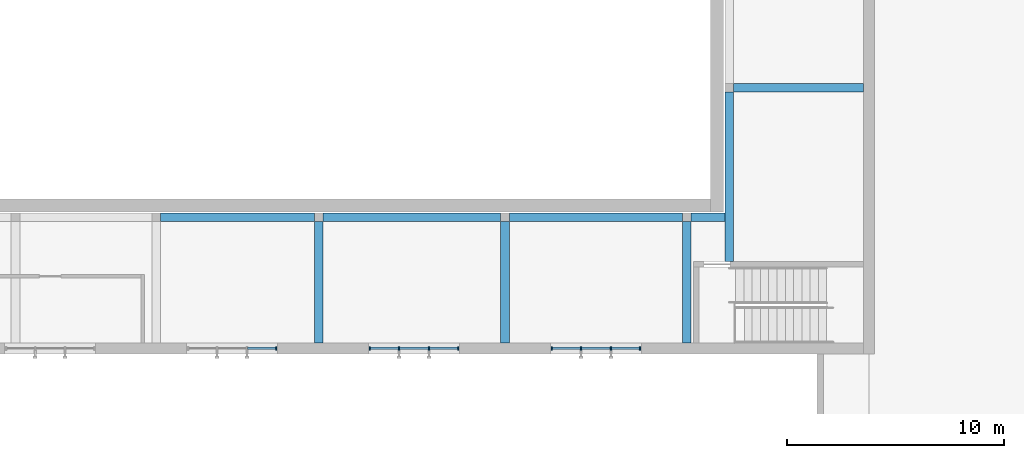
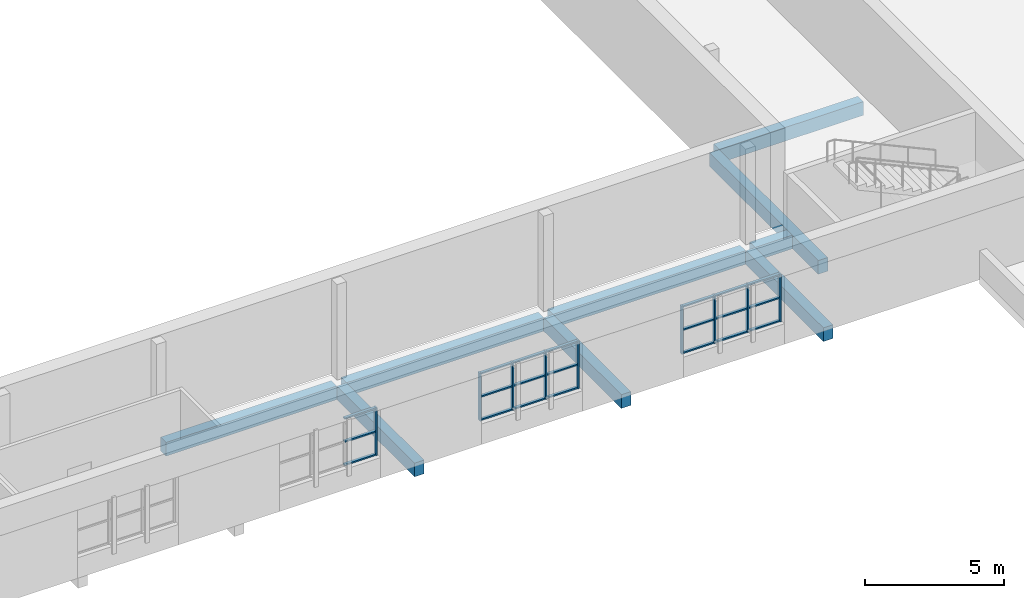
# One storey, part 23 of 60: 30 members, 9 beams, 3 elements without a shape of their own.
"""IFC4 building model written with IfcOpenShell, lengths in metres."""

from ifc_helpers import new_model, si_unit, direction, frame, origin, origin_2d, place, context, subcontext, project, spatial, rectangle, extrude, material, material_profile, profile_set, type_object, element, aggregate, save


model = new_model("IFC4")

# Units and contexts
model_context = context("Model", 3, precision=1e-05, world=origin(), true_north=direction((0.0, 1.0)))
body_context = subcontext(model_context, "Body", "Model", "MODEL_VIEW")
ifc_project = project(units=[si_unit("LENGTHUNIT", "METRE"), si_unit("AREAUNIT", "SQUARE_METRE"), si_unit("VOLUMEUNIT", "CUBIC_METRE"), si_unit("PLANEANGLEUNIT", "RADIAN"), si_unit("MASSUNIT", "GRAM", prefix="KILO")], contexts=[model_context])

# Site, building, storey
site_placement = place(None, origin())
site = spatial("IfcSite", under=ifc_project, at=site_placement, CompositionType="ELEMENT")
building_placement = place(site_placement, origin())
building = spatial("IfcBuilding", under=site, at=building_placement, Name="Ljudholm Concert House", CompositionType="ELEMENT")
storey_placement = place(building_placement, frame((0.0, 0.0, 15.0)))
storey = spatial("IfcBuildingStorey", under=building, at=storey_placement, Name="L03", CompositionType="ELEMENT", Elevation=15.0)

# Curtain wall, member
ifc_material_1 = material(Name="Aluminium curtain wall with impact-rated laminated glass", Category="aluminium")
curtain_wall_type = type_object("IfcCurtainWallType", Name="CURTAIN WALL 1400", PredefinedType="NOTDEFINED", material=ifc_material_1)
curtain_wall_1_placement = place(storey_placement, origin())
curtain_wall_1 = element("IfcCurtainWall", 1, at=curtain_wall_1_placement, inside=storey, type_object=curtain_wall_type, Name="Promenade curtain wall", PredefinedType="NOTDEFINED")
ifc_material_2 = material(Name="Aluminium extrusion", Category="aluminium")
ifc_material_profile_1 = material_profile(ifc_material_2, rectangle(XDim=0.159912109375, YDim=0.06005859375, at=origin_2d()), Name="MULLION 60x160")
ifc_profile_set_1 = profile_set([ifc_material_profile_1], Name="Aluminium extrusion")
member_type_1 = type_object("IfcMemberType", Name="MULLION 60x160", PredefinedType="MULLION", material=ifc_profile_set_1)
member_1_placement = place(storey_placement, frame((69.0400390625, 54.39990234375, 0.89990234375), z_axis=(0.0, 0.0, 1.0), x_axis=(0.0, 1.0, 0.0)))
member_1 = element("IfcMember", 2, at=member_1_placement, type_object=member_type_1, Name="Mullion", PredefinedType="MULLION", context=body_context, shape_type="SweptSolid", body=[
    extrude(rectangle(XDim=0.159912109375, YDim=0.06005859375, at=origin_2d()), origin(), (0.0, 0.0, 1.0), 2.10009765625),
])

# Curtain wall, members
curtain_wall_2_placement = place(storey_placement, origin())
curtain_wall_2 = element("IfcCurtainWall", 3, at=curtain_wall_2_placement, inside=storey, type_object=curtain_wall_type, Name="Promenade curtain wall", PredefinedType="NOTDEFINED")
member_2_placement = place(storey_placement, frame((73.360107421875, 54.39990234375, 0.89990234375), z_axis=(0.0, 0.0, 1.0), x_axis=(0.0, 1.0, 0.0)))
member_2 = element("IfcMember", 4, at=member_2_placement, type_object=member_type_1, Name="Mullion", PredefinedType="MULLION", context=body_context, shape_type="SweptSolid", body=[
    extrude(rectangle(XDim=0.159912109375, YDim=0.06005859375, at=origin_2d()), origin(), (0.0, 0.0, 1.0), 2.10009765625),
])
member_3_placement = place(storey_placement, frame((74.7099609375, 54.39990234375, 0.89990234375), z_axis=(0.0, 0.0, 1.0), x_axis=(0.0, 1.0, 0.0)))
member_3 = element("IfcMember", 5, at=member_3_placement, type_object=member_type_1, Name="Mullion", PredefinedType="MULLION", context=body_context, shape_type="SweptSolid", body=[
    extrude(rectangle(XDim=0.159912109375, YDim=0.06005859375, at=origin_2d()), origin(), (0.0, 0.0, 1.0), 2.10009765625),
])
member_4_placement = place(storey_placement, frame((76.090087890625, 54.39990234375, 0.89990234375), z_axis=(0.0, 0.0, 1.0), x_axis=(0.0, 1.0, 0.0)))
member_4 = element("IfcMember", 6, at=member_4_placement, type_object=member_type_1, Name="Mullion", PredefinedType="MULLION", context=body_context, shape_type="SweptSolid", body=[
    extrude(rectangle(XDim=0.159912109375, YDim=0.06005859375, at=origin_2d()), origin(), (0.0, 0.0, 1.0), 2.10009765625),
])
member_5_placement = place(storey_placement, frame((77.43994140625, 54.39990234375, 0.89990234375), z_axis=(0.0, 0.0, 1.0), x_axis=(0.0, 1.0, 0.0)))
member_5 = element("IfcMember", 7, at=member_5_placement, type_object=member_type_1, Name="Mullion", PredefinedType="MULLION", context=body_context, shape_type="SweptSolid", body=[
    extrude(rectangle(XDim=0.159912109375, YDim=0.06005859375, at=origin_2d()), origin(), (0.0, 0.0, 1.0), 2.10009765625),
])

curtain_wall_3_placement = place(storey_placement, origin())
curtain_wall_3 = element("IfcCurtainWall", 8, at=curtain_wall_3_placement, inside=storey, type_object=curtain_wall_type, Name="Promenade curtain wall", PredefinedType="NOTDEFINED")
member_6_placement = place(storey_placement, frame((81.760009765625, 54.39990234375, 0.89990234375), z_axis=(0.0, 0.0, 1.0), x_axis=(0.0, 1.0, 0.0)))
member_6 = element("IfcMember", 9, at=member_6_placement, type_object=member_type_1, Name="Mullion", PredefinedType="MULLION", context=body_context, shape_type="SweptSolid", body=[
    extrude(rectangle(XDim=0.159912109375, YDim=0.06005859375, at=origin_2d()), origin(), (0.0, 0.0, 1.0), 2.10009765625),
])
member_7_placement = place(storey_placement, frame((83.110107421875, 54.39990234375, 0.89990234375), z_axis=(0.0, 0.0, 1.0), x_axis=(0.0, 1.0, 0.0)))
member_7 = element("IfcMember", 10, at=member_7_placement, type_object=member_type_1, Name="Mullion", PredefinedType="MULLION", context=body_context, shape_type="SweptSolid", body=[
    extrude(rectangle(XDim=0.159912109375, YDim=0.06005859375, at=origin_2d()), origin(), (0.0, 0.0, 1.0), 2.10009765625),
])
member_8_placement = place(storey_placement, frame((84.489990234375, 54.39990234375, 0.89990234375), z_axis=(0.0, 0.0, 1.0), x_axis=(0.0, 1.0, 0.0)))
member_8 = element("IfcMember", 11, at=member_8_placement, type_object=member_type_1, Name="Mullion", PredefinedType="MULLION", context=body_context, shape_type="SweptSolid", body=[
    extrude(rectangle(XDim=0.159912109375, YDim=0.06005859375, at=origin_2d()), origin(), (0.0, 0.0, 1.0), 2.10009765625),
])
member_9_placement = place(storey_placement, frame((85.840087890625, 54.39990234375, 0.89990234375), z_axis=(0.0, 0.0, 1.0), x_axis=(0.0, 1.0, 0.0)))
member_9 = element("IfcMember", 12, at=member_9_placement, type_object=member_type_1, Name="Mullion", PredefinedType="MULLION", context=body_context, shape_type="SweptSolid", body=[
    extrude(rectangle(XDim=0.159912109375, YDim=0.06005859375, at=origin_2d()), origin(), (0.0, 0.0, 1.0), 2.10009765625),
])

# Beams
ifc_material_3 = material(Name="Concrete 6,500 psi", Category="concrete")
ifc_material_profile_2 = material_profile(ifc_material_3, rectangle(XDim=0.39990234375, YDim=0.60009765625, at=origin_2d()), Name="RC BEAM 400x600")
ifc_profile_set_2 = profile_set([ifc_material_profile_2], Name="Concrete 6,500 psi")
beam_type = type_object("IfcBeamType", Name="RC BEAM 400x600", PredefinedType="BEAM", material=ifc_profile_set_2)
beam_1_placement = place(storey_placement, frame((63.699951171875, 60.449951171875, -0.550048828125), z_axis=(1.0, 0.0, 0.0), x_axis=(0.0, 1.0, 0.0)))
element("IfcBeam", 13, at=beam_1_placement, inside=storey, type_object=beam_type, Name="Ring beam", PredefinedType="BEAM", context=body_context, shape_type="SweptSolid", body=[
    extrude(rectangle(XDim=0.39990234375, YDim=0.60009765625, at=origin_2d()), origin(), (0.0, 0.0, 1.0), 7.10009765625),
])
beam_2_placement = place(storey_placement, frame((71.199951171875, 60.449951171875, -0.550048828125), z_axis=(1.0, 0.0, 0.0), x_axis=(0.0, 1.0, 0.0)))
element("IfcBeam", 14, at=beam_2_placement, inside=storey, type_object=beam_type, Name="Ring beam", PredefinedType="BEAM", context=body_context, shape_type="SweptSolid", body=[
    extrude(rectangle(XDim=0.39990234375, YDim=0.60009765625, at=origin_2d()), origin(), (0.0, 0.0, 1.0), 8.199951171875),
])
beam_3_placement = place(storey_placement, frame((79.800048828125, 60.449951171875, -0.550048828125), z_axis=(1.0, 0.0, 0.0), x_axis=(0.0, 1.0, 0.0)))
element("IfcBeam", 15, at=beam_3_placement, inside=storey, type_object=beam_type, Name="Ring beam", PredefinedType="BEAM", context=body_context, shape_type="SweptSolid", body=[
    extrude(rectangle(XDim=0.39990234375, YDim=0.60009765625, at=origin_2d()), origin(), (0.0, 0.0, 1.0), 8.0),
])
for number, where, z_axis, x_axis, name in (
    (16, (71.0, 60.25, -0.550048828125), (0.0, -1.0, 0.0), (1.0, 0.0, 0.0), "Ring cross beam"),
    (17, (79.60009765625, 60.25, -0.550048828125), (0.0, -1.0, 0.0), (1.0, 0.0, 0.0), "Ring cross beam"),
    (18, (88.0, 60.25, -0.550048828125), (0.0, -1.0, 0.0), (1.0, 0.0, 0.0), "Ring cross beam"),
):
    element("IfcBeam", number, at=place(storey_placement, frame(where, z_axis=z_axis, x_axis=x_axis)), inside=storey, type_object=beam_type, Name=name, PredefinedType="BEAM", context=body_context, shape_type="SweptSolid", body=[
        extrude(rectangle(XDim=0.39990234375, YDim=0.60009765625, at=origin_2d()), origin(), (0.0, 0.0, 1.0), 5.60009765625),
    ])
beam_4_placement = place(storey_placement, frame((90.14990234375, 66.429931640625, -0.550048828125), z_axis=(1.0, 0.0, 0.0), x_axis=(0.0, 1.0, 0.0)))
element("IfcBeam", 19, at=beam_4_placement, inside=storey, type_object=beam_type, Name="Ring cross beam", PredefinedType="BEAM", context=body_context, shape_type="SweptSolid", body=[
    extrude(rectangle(XDim=0.39990234375, YDim=0.60009765625, at=origin_2d()), origin(), (0.0, 0.0, 1.0), 6.0),
])
beam_5_placement = place(storey_placement, frame((88.199951171875, 60.449951171875, -0.550048828125), z_axis=(1.0, 0.0, 0.0), x_axis=(0.0, 1.0, 0.0)))
element("IfcBeam", 20, at=beam_5_placement, inside=storey, type_object=beam_type, Name="Ring beam", PredefinedType="BEAM", context=body_context, shape_type="SweptSolid", body=[
    extrude(rectangle(XDim=0.39990234375, YDim=0.60009765625, at=origin_2d()), origin(), (0.0, 0.0, 1.0), 1.550048828125),
])
beam_6_placement = place(storey_placement, frame((89.949951171875, 58.39990234375, -0.550048828125), z_axis=(0.0, 1.0, 0.0), x_axis=(-1.0, 0.0, 0.0)))
element("IfcBeam", 21, at=beam_6_placement, inside=storey, type_object=beam_type, Name="Ring beam", PredefinedType="BEAM", context=body_context, shape_type="SweptSolid", body=[
    extrude(rectangle(XDim=0.39990234375, YDim=0.60009765625, at=origin_2d()), origin(), (0.0, 0.0, 1.0), 7.830078125),
])

# Member
ifc_material_4 = material(Name="Aluminium extrusion", Category="aluminium")
ifc_material_profile_3 = material_profile(ifc_material_4, rectangle(XDim=0.1201171875, YDim=0.06005859375, at=origin_2d()), Name="TRANSOM 60x120")
ifc_profile_set_3 = profile_set([ifc_material_profile_3], Name="Aluminium extrusion")
member_type_2 = type_object("IfcMemberType", Name="TRANSOM 60x120", PredefinedType="USERDEFINED", material=ifc_profile_set_3)
member_10_placement = place(storey_placement, frame((67.719970703125, 54.39990234375, 0.929931640625), z_axis=(1.0, 0.0, 0.0), x_axis=(0.0, 1.0, 0.0)))
member_10 = element("IfcMember", 22, at=member_10_placement, type_object=member_type_2, Name="Transom", ObjectType="TRANSOM", PredefinedType="USERDEFINED", context=body_context, shape_type="SweptSolid", body=[
    extrude(rectangle(XDim=0.1201171875, YDim=0.06005859375, at=origin_2d()), origin(), (0.0, 0.0, 1.0), 1.2900390625),
])

member_11_placement = place(storey_placement, frame((67.719970703125, 54.39990234375, 1.949951171875), z_axis=(1.0, 0.0, 0.0), x_axis=(0.0, 1.0, 0.0)))
member_11 = element("IfcMember", 23, at=member_11_placement, type_object=member_type_2, Name="Transom", ObjectType="TRANSOM", PredefinedType="USERDEFINED", context=body_context, shape_type="SweptSolid", body=[
    extrude(rectangle(XDim=0.1201171875, YDim=0.06005859375, at=origin_2d()), origin(), (0.0, 0.0, 1.0), 1.2900390625),
])

member_12_placement = place(storey_placement, frame((67.719970703125, 54.39990234375, 2.969970703125), z_axis=(1.0, 0.0, 0.0), x_axis=(0.0, 1.0, 0.0)))
member_12 = element("IfcMember", 24, at=member_12_placement, type_object=member_type_2, Name="Transom", ObjectType="TRANSOM", PredefinedType="USERDEFINED", context=body_context, shape_type="SweptSolid", body=[
    extrude(rectangle(XDim=0.1201171875, YDim=0.06005859375, at=origin_2d()), origin(), (0.0, 0.0, 1.0), 1.2900390625),
])

aggregate(curtain_wall_1, [member_1, member_10, member_11, member_12])

member_13_placement = place(storey_placement, frame((73.389892578125, 54.39990234375, 0.929931640625), z_axis=(1.0, 0.0, 0.0), x_axis=(0.0, 1.0, 0.0)))
member_13 = element("IfcMember", 25, at=member_13_placement, type_object=member_type_2, Name="Transom", ObjectType="TRANSOM", PredefinedType="USERDEFINED", context=body_context, shape_type="SweptSolid", body=[
    extrude(rectangle(XDim=0.1201171875, YDim=0.06005859375, at=origin_2d()), origin(), (0.0, 0.0, 1.0), 1.2900390625),
])

member_14_placement = place(storey_placement, frame((73.389892578125, 54.39990234375, 1.949951171875), z_axis=(1.0, 0.0, 0.0), x_axis=(0.0, 1.0, 0.0)))
member_14 = element("IfcMember", 26, at=member_14_placement, type_object=member_type_2, Name="Transom", ObjectType="TRANSOM", PredefinedType="USERDEFINED", context=body_context, shape_type="SweptSolid", body=[
    extrude(rectangle(XDim=0.1201171875, YDim=0.06005859375, at=origin_2d()), origin(), (0.0, 0.0, 1.0), 1.2900390625),
])

member_15_placement = place(storey_placement, frame((73.389892578125, 54.39990234375, 2.969970703125), z_axis=(1.0, 0.0, 0.0), x_axis=(0.0, 1.0, 0.0)))
member_15 = element("IfcMember", 27, at=member_15_placement, type_object=member_type_2, Name="Transom", ObjectType="TRANSOM", PredefinedType="USERDEFINED", context=body_context, shape_type="SweptSolid", body=[
    extrude(rectangle(XDim=0.1201171875, YDim=0.06005859375, at=origin_2d()), origin(), (0.0, 0.0, 1.0), 1.2900390625),
])

member_16_placement = place(storey_placement, frame((74.739990234375, 54.39990234375, 0.929931640625), z_axis=(1.0, 0.0, 0.0), x_axis=(0.0, 1.0, 0.0)))
member_16 = element("IfcMember", 28, at=member_16_placement, type_object=member_type_2, Name="Transom", ObjectType="TRANSOM", PredefinedType="USERDEFINED", context=body_context, shape_type="SweptSolid", body=[
    extrude(rectangle(XDim=0.1201171875, YDim=0.06005859375, at=origin_2d()), origin(), (0.0, 0.0, 1.0), 1.320068359375),
])

member_17_placement = place(storey_placement, frame((74.739990234375, 54.39990234375, 1.949951171875), z_axis=(1.0, 0.0, 0.0), x_axis=(0.0, 1.0, 0.0)))
member_17 = element("IfcMember", 29, at=member_17_placement, type_object=member_type_2, Name="Transom", ObjectType="TRANSOM", PredefinedType="USERDEFINED", context=body_context, shape_type="SweptSolid", body=[
    extrude(rectangle(XDim=0.1201171875, YDim=0.06005859375, at=origin_2d()), origin(), (0.0, 0.0, 1.0), 1.320068359375),
])

member_18_placement = place(storey_placement, frame((74.739990234375, 54.39990234375, 2.969970703125), z_axis=(1.0, 0.0, 0.0), x_axis=(0.0, 1.0, 0.0)))
member_18 = element("IfcMember", 30, at=member_18_placement, type_object=member_type_2, Name="Transom", ObjectType="TRANSOM", PredefinedType="USERDEFINED", context=body_context, shape_type="SweptSolid", body=[
    extrude(rectangle(XDim=0.1201171875, YDim=0.06005859375, at=origin_2d()), origin(), (0.0, 0.0, 1.0), 1.320068359375),
])

member_19_placement = place(storey_placement, frame((76.1201171875, 54.39990234375, 0.929931640625), z_axis=(1.0, 0.0, 0.0), x_axis=(0.0, 1.0, 0.0)))
member_19 = element("IfcMember", 31, at=member_19_placement, type_object=member_type_2, Name="Transom", ObjectType="TRANSOM", PredefinedType="USERDEFINED", context=body_context, shape_type="SweptSolid", body=[
    extrude(rectangle(XDim=0.1201171875, YDim=0.06005859375, at=origin_2d()), origin(), (0.0, 0.0, 1.0), 1.289794921875),
])

member_20_placement = place(storey_placement, frame((76.1201171875, 54.39990234375, 1.949951171875), z_axis=(1.0, 0.0, 0.0), x_axis=(0.0, 1.0, 0.0)))
member_20 = element("IfcMember", 32, at=member_20_placement, type_object=member_type_2, Name="Transom", ObjectType="TRANSOM", PredefinedType="USERDEFINED", context=body_context, shape_type="SweptSolid", body=[
    extrude(rectangle(XDim=0.1201171875, YDim=0.06005859375, at=origin_2d()), origin(), (0.0, 0.0, 1.0), 1.289794921875),
])

member_21_placement = place(storey_placement, frame((76.1201171875, 54.39990234375, 2.969970703125), z_axis=(1.0, 0.0, 0.0), x_axis=(0.0, 1.0, 0.0)))
member_21 = element("IfcMember", 33, at=member_21_placement, type_object=member_type_2, Name="Transom", ObjectType="TRANSOM", PredefinedType="USERDEFINED", context=body_context, shape_type="SweptSolid", body=[
    extrude(rectangle(XDim=0.1201171875, YDim=0.06005859375, at=origin_2d()), origin(), (0.0, 0.0, 1.0), 1.289794921875),
])

aggregate(curtain_wall_2, [member_2, member_3, member_4, member_5, member_13, member_14, member_15, member_16, member_17, member_18, member_19, member_20, member_21])

member_22_placement = place(storey_placement, frame((81.7900390625, 54.39990234375, 0.929931640625), z_axis=(1.0, 0.0, 0.0), x_axis=(0.0, 1.0, 0.0)))
member_22 = element("IfcMember", 34, at=member_22_placement, type_object=member_type_2, Name="Transom", ObjectType="TRANSOM", PredefinedType="USERDEFINED", context=body_context, shape_type="SweptSolid", body=[
    extrude(rectangle(XDim=0.1201171875, YDim=0.06005859375, at=origin_2d()), origin(), (0.0, 0.0, 1.0), 1.2900390625),
])

member_23_placement = place(storey_placement, frame((81.7900390625, 54.39990234375, 1.949951171875), z_axis=(1.0, 0.0, 0.0), x_axis=(0.0, 1.0, 0.0)))
member_23 = element("IfcMember", 35, at=member_23_placement, type_object=member_type_2, Name="Transom", ObjectType="TRANSOM", PredefinedType="USERDEFINED", context=body_context, shape_type="SweptSolid", body=[
    extrude(rectangle(XDim=0.1201171875, YDim=0.06005859375, at=origin_2d()), origin(), (0.0, 0.0, 1.0), 1.2900390625),
])

member_24_placement = place(storey_placement, frame((81.7900390625, 54.39990234375, 2.969970703125), z_axis=(1.0, 0.0, 0.0), x_axis=(0.0, 1.0, 0.0)))
member_24 = element("IfcMember", 36, at=member_24_placement, type_object=member_type_2, Name="Transom", ObjectType="TRANSOM", PredefinedType="USERDEFINED", context=body_context, shape_type="SweptSolid", body=[
    extrude(rectangle(XDim=0.1201171875, YDim=0.06005859375, at=origin_2d()), origin(), (0.0, 0.0, 1.0), 1.2900390625),
])

member_25_placement = place(storey_placement, frame((83.139892578125, 54.39990234375, 0.929931640625), z_axis=(1.0, 0.0, 0.0), x_axis=(0.0, 1.0, 0.0)))
member_25 = element("IfcMember", 37, at=member_25_placement, type_object=member_type_2, Name="Transom", ObjectType="TRANSOM", PredefinedType="USERDEFINED", context=body_context, shape_type="SweptSolid", body=[
    extrude(rectangle(XDim=0.1201171875, YDim=0.06005859375, at=origin_2d()), origin(), (0.0, 0.0, 1.0), 1.320068359375),
])

member_26_placement = place(storey_placement, frame((83.139892578125, 54.39990234375, 1.949951171875), z_axis=(1.0, 0.0, 0.0), x_axis=(0.0, 1.0, 0.0)))
member_26 = element("IfcMember", 38, at=member_26_placement, type_object=member_type_2, Name="Transom", ObjectType="TRANSOM", PredefinedType="USERDEFINED", context=body_context, shape_type="SweptSolid", body=[
    extrude(rectangle(XDim=0.1201171875, YDim=0.06005859375, at=origin_2d()), origin(), (0.0, 0.0, 1.0), 1.320068359375),
])

member_27_placement = place(storey_placement, frame((83.139892578125, 54.39990234375, 2.969970703125), z_axis=(1.0, 0.0, 0.0), x_axis=(0.0, 1.0, 0.0)))
member_27 = element("IfcMember", 39, at=member_27_placement, type_object=member_type_2, Name="Transom", ObjectType="TRANSOM", PredefinedType="USERDEFINED", context=body_context, shape_type="SweptSolid", body=[
    extrude(rectangle(XDim=0.1201171875, YDim=0.06005859375, at=origin_2d()), origin(), (0.0, 0.0, 1.0), 1.320068359375),
])

member_28_placement = place(storey_placement, frame((84.52001953125, 54.39990234375, 0.929931640625), z_axis=(1.0, 0.0, 0.0), x_axis=(0.0, 1.0, 0.0)))
member_28 = element("IfcMember", 40, at=member_28_placement, type_object=member_type_2, Name="Transom", ObjectType="TRANSOM", PredefinedType="USERDEFINED", context=body_context, shape_type="SweptSolid", body=[
    extrude(rectangle(XDim=0.1201171875, YDim=0.06005859375, at=origin_2d()), origin(), (0.0, 0.0, 1.0), 1.2900390625),
])

member_29_placement = place(storey_placement, frame((84.52001953125, 54.39990234375, 1.949951171875), z_axis=(1.0, 0.0, 0.0), x_axis=(0.0, 1.0, 0.0)))
member_29 = element("IfcMember", 41, at=member_29_placement, type_object=member_type_2, Name="Transom", ObjectType="TRANSOM", PredefinedType="USERDEFINED", context=body_context, shape_type="SweptSolid", body=[
    extrude(rectangle(XDim=0.1201171875, YDim=0.06005859375, at=origin_2d()), origin(), (0.0, 0.0, 1.0), 1.2900390625),
])

member_30_placement = place(storey_placement, frame((84.52001953125, 54.39990234375, 2.969970703125), z_axis=(1.0, 0.0, 0.0), x_axis=(0.0, 1.0, 0.0)))
member_30 = element("IfcMember", 42, at=member_30_placement, type_object=member_type_2, Name="Transom", ObjectType="TRANSOM", PredefinedType="USERDEFINED", context=body_context, shape_type="SweptSolid", body=[
    extrude(rectangle(XDim=0.1201171875, YDim=0.06005859375, at=origin_2d()), origin(), (0.0, 0.0, 1.0), 1.2900390625),
])

aggregate(curtain_wall_3, [member_6, member_7, member_8, member_9, member_22, member_23, member_24, member_25, member_26, member_27, member_28, member_29, member_30])

save(model, "model.ifc")
